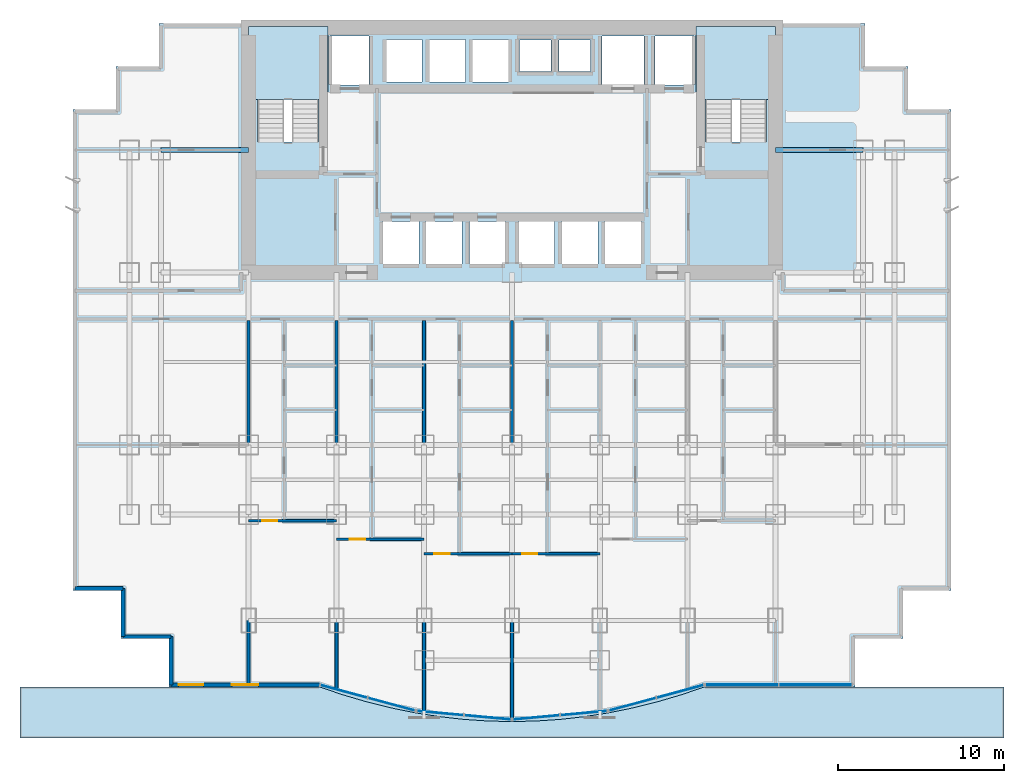
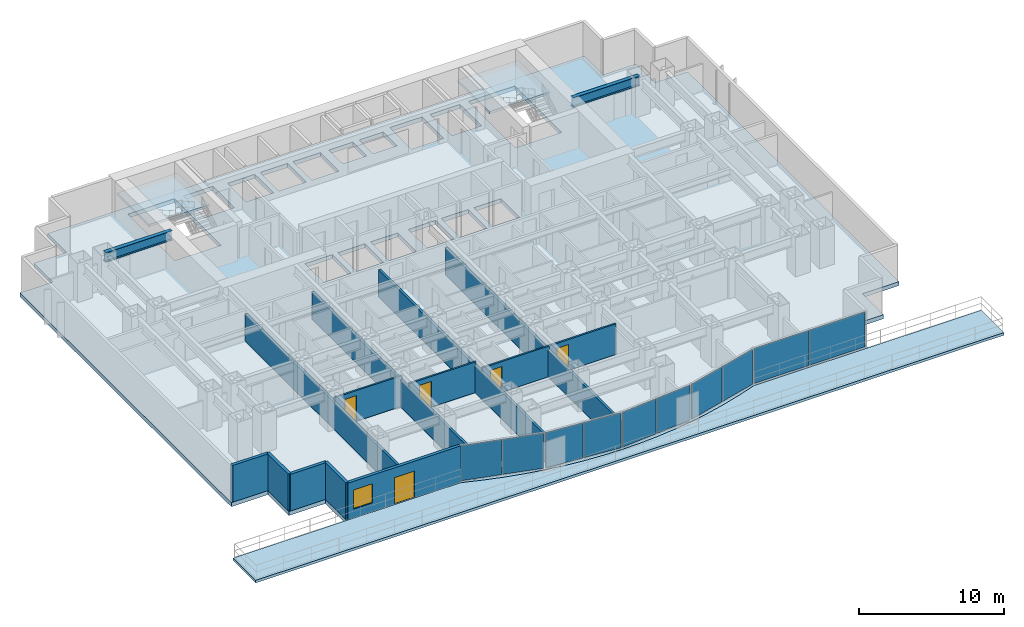
# One storey, part 4 of 11: 13 walls, 10 plates, 5 doors, 4 slabs, 2 beams, 1 window, 6 openings, 7 elements without a shape of their own.
"""IFC4 building model written with IfcOpenShell, lengths in metres."""

from ifc_helpers import new_model, si_unit, direction, frame, frame_2d, origin, origin_2d, place, context, subcontext, project, spatial, polyline, rectangle, i_section, outline, extrude, source, transform, mapped, material, layer, layer_set, material_profile, profile_set, type_object, element, fill, aggregate, save


model = new_model("IFC4")

# Units and contexts
model_context = context("Model", 3, precision=1e-05, world=origin(), true_north=direction((0.0, 1.0)))
body_context = subcontext(model_context, "Body", "Model", "MODEL_VIEW")
ifc_project = project(units=[si_unit("LENGTHUNIT", "METRE"), si_unit("AREAUNIT", "SQUARE_METRE"), si_unit("VOLUMEUNIT", "CUBIC_METRE"), si_unit("PLANEANGLEUNIT", "RADIAN"), si_unit("MASSUNIT", "GRAM", prefix="KILO")], contexts=[model_context])

# Site, building, storey
site_placement = place(None, origin())
site = spatial("IfcSite", under=ifc_project, at=site_placement, CompositionType="ELEMENT")
building_placement = place(site_placement, origin())
building = spatial("IfcBuilding", under=site, at=building_placement, Name="Qianlan Lanfeng Residences", CompositionType="ELEMENT")
storey_placement = place(building_placement, frame((0.0, 0.0, 24.199951171875)))
storey = spatial("IfcBuildingStorey", under=building, at=storey_placement, Name="L05", CompositionType="ELEMENT", Elevation=24.199951171875)

# Beams
ifc_material_1 = material(Name="Steel SN490B", Category="steel")
ifc_material_profile = material_profile(ifc_material_1, i_section(OverallWidth=0.300048828125, OverallDepth=0.800048828125, WebThickness=0.01611328125, FlangeThickness=0.028076171875, at=origin_2d()), Name="H 800x300x16x28")
ifc_profile_set = profile_set([ifc_material_profile], Name="Steel SN490B")
beam_type = type_object("IfcBeamType", Name="G-950", PredefinedType="BEAM", material=ifc_profile_set)
for number, where, z_axis, x_axis, name in (
    (1, (5.300048828125, 32.60009765625, 2.679931640625), (1.0, 0.0, 0.0), (0.0, 1.0, 0.0), "Structural beam G-950"),
    (2, (42.39990234375, 32.60009765625, 2.679931640625), (1.0, 0.0, 0.0), (0.0, 1.0, 0.0), "Structural beam G-950"),
):
    element("IfcBeam", number, at=place(storey_placement, frame(where, z_axis=z_axis, x_axis=x_axis)), inside=storey, type_object=beam_type, Name=name, PredefinedType="BEAM", context=body_context, shape_type="SweptSolid", body=[
        extrude(i_section(OverallWidth=0.300048828125, OverallDepth=0.800048828125, WebThickness=0.01611328125, FlangeThickness=0.028076171875, at=origin_2d()), origin(), (0.0, 0.0, 1.0), 5.300048828125),
    ])

# Slab
ifc_material_2 = material(Name="Concrete C56", Category="concrete")
ifc_layer_1 = layer(ifc_material_2, 0.340087890625)
ifc_layer_set_1 = layer_set([ifc_layer_1], Name="Concrete C56")
slab_type_1 = type_object("IfcSlabType", Name="S-FL-340", PredefinedType="FLOOR", material=ifc_layer_set_1)
slab_1_placement = place(storey_placement, frame((0.0, 0.0, -0.33984375)))
element("IfcSlab", 3, at=slab_1_placement, inside=storey, type_object=slab_type_1, Name="L05 Structural Floor Slab", PredefinedType="FLOOR", context=body_context, shape_type="SweptSolid", body=[
    extrude(outline(polyline([(0.0, 6.0), (2.89990234375, 6.0), (2.89990234375, 3.10009765625), (5.800048828125, 3.10009765625), (5.800048828125, 0.199951171875), (14.85009765625, 0.199951171875), (16.305908203125, -0.2919921875), (17.761962890625, -0.718994140625), (19.218994140625, -1.080078125), (20.675048828125, -1.375), (22.131103515625, -1.60498046875), (23.5869140625, -1.76904296875), (25.0439453125, -1.866943359375), (26.5, -1.89990234375), (27.9560546875, -1.866943359375), (29.412109375, -1.76904296875), (30.868896484375, -1.60498046875), (32.324951171875, -1.375), (33.781005859375, -1.080078125), (35.237060546875, -0.718994140625), (36.694091796875, -0.2919921875), (38.14990234375, 0.199951171875), (47.199951171875, 0.199951171875), (47.199951171875, 3.10009765625), (50.10009765625, 3.10009765625), (50.10009765625, 6.0), (53.0, 6.0), (53.0, 35.050048828125), (50.39990234375, 35.050048828125), (50.39990234375, 37.64990234375), (47.800048828125, 37.64990234375), (47.800048828125, 40.25), (5.199951171875, 40.25), (5.199951171875, 37.64990234375), (2.60009765625, 37.64990234375), (2.60009765625, 35.050048828125), (0.0, 35.050048828125), (0.0, 6.0)]), holes=[polyline([(11.139892578125, 33.080078125), (11.139892578125, 39.5), (14.820068359375, 39.5), (14.820068359375, 33.080078125), (11.139892578125, 33.080078125)]), polyline([(38.179931640625, 33.080078125), (38.179931640625, 39.5), (41.860107421875, 39.5), (41.860107421875, 33.080078125), (38.179931640625, 33.080078125)]), polyline([(15.52001953125, 36.52001953125), (15.52001953125, 39.47998046875), (17.8798828125, 39.47998046875), (17.8798828125, 36.52001953125), (15.52001953125, 36.52001953125)]), polyline([(35.1201171875, 36.52001953125), (35.1201171875, 39.47998046875), (37.47998046875, 39.47998046875), (37.47998046875, 36.52001953125), (35.1201171875, 36.52001953125)]), polyline([(31.919921875, 36.52001953125), (31.919921875, 39.47998046875), (34.47998046875, 39.47998046875), (34.47998046875, 36.52001953125), (31.919921875, 36.52001953125)]), polyline([(18.719970703125, 25.719970703125), (18.719970703125, 28.280029296875), (20.8798828125, 28.280029296875), (20.8798828125, 25.719970703125), (18.719970703125, 25.719970703125)]), polyline([(21.320068359375, 25.719970703125), (21.320068359375, 28.280029296875), (23.47998046875, 28.280029296875), (23.47998046875, 25.719970703125), (21.320068359375, 25.719970703125)]), polyline([(23.919921875, 25.719970703125), (23.919921875, 28.280029296875), (26.080078125, 28.280029296875), (26.080078125, 25.719970703125), (23.919921875, 25.719970703125)]), polyline([(26.919921875, 25.719970703125), (26.919921875, 28.280029296875), (29.080078125, 28.280029296875), (29.080078125, 25.719970703125), (26.919921875, 25.719970703125)]), polyline([(29.52001953125, 25.719970703125), (29.52001953125, 28.280029296875), (31.679931640625, 28.280029296875), (31.679931640625, 25.719970703125), (29.52001953125, 25.719970703125)]), polyline([(32.1201171875, 25.719970703125), (32.1201171875, 28.280029296875), (34.280029296875, 28.280029296875), (34.280029296875, 25.719970703125), (32.1201171875, 25.719970703125)]), polyline([(18.919921875, 36.719970703125), (18.919921875, 39.280029296875), (21.080078125, 39.280029296875), (21.080078125, 36.719970703125), (18.919921875, 36.719970703125)]), polyline([(21.52001953125, 36.719970703125), (21.52001953125, 39.280029296875), (23.679931640625, 39.280029296875), (23.679931640625, 36.719970703125), (21.52001953125, 36.719970703125)]), polyline([(24.1201171875, 36.719970703125), (24.1201171875, 39.280029296875), (26.280029296875, 39.280029296875), (26.280029296875, 36.719970703125), (24.1201171875, 36.719970703125)]), polyline([(26.949951171875, 37.35009765625), (26.949951171875, 39.25), (28.85009765625, 39.25), (28.85009765625, 37.35009765625), (26.949951171875, 37.35009765625)]), polyline([(29.35009765625, 37.35009765625), (29.35009765625, 39.25), (31.25, 39.25), (31.25, 37.35009765625), (29.35009765625, 37.35009765625)])]), origin(), (0.0, 0.0, 1.0), 0.33984375),
])

# Stair, slab
ifc_material_3 = material(Name="Concrete C42", Category="concrete")
stair_type = type_object("IfcStairType", Name="STR-MAIN", PredefinedType="HALF_TURN_STAIR", material=ifc_material_3)
stair_1_placement = place(storey_placement, origin())
stair_1 = element("IfcStair", 4, at=stair_1_placement, inside=storey, type_object=stair_type, Name="L05 Exit Stair ST-1", PredefinedType="HALF_TURN_STAIR")
ifc_layer_2 = layer(ifc_material_3, 0.179931640625)
ifc_layer_set_2 = layer_set([ifc_layer_2], Name="Concrete C42")
slab_type_2 = type_object("IfcSlabType", Name="S-LND-180", PredefinedType="LANDING", material=ifc_layer_set_2)
slab_2_placement = place(storey_placement, frame((0.0, 0.0, 1.449951171875)))
slab_2 = element("IfcSlab", 5, at=slab_2_placement, type_object=slab_type_2, Name="ST-1 landing 1", PredefinedType="LANDING", context=body_context, shape_type="SweptSolid", body=[
    extrude(outline(polyline([(10.580078125, 35.659912109375), (15.3798828125, 35.659912109375), (15.3798828125, 40.050048828125), (10.580078125, 40.050048828125), (10.580078125, 35.659912109375)])), origin(), (0.0, 0.0, 1.0), 0.2001953125),
])
aggregate(stair_1, [slab_2])

stair_2_placement = place(storey_placement, origin())
stair_2 = element("IfcStair", 6, at=stair_2_placement, inside=storey, type_object=stair_type, Name="L05 Exit Stair ST-2", PredefinedType="HALF_TURN_STAIR")
slab_3_placement = place(storey_placement, frame((0.0, 0.0, 1.449951171875)))
slab_3 = element("IfcSlab", 7, at=slab_3_placement, type_object=slab_type_2, Name="ST-2 landing 1", PredefinedType="LANDING", context=body_context, shape_type="SweptSolid", body=[
    extrude(outline(polyline([(37.6201171875, 35.659912109375), (42.419921875, 35.659912109375), (42.419921875, 40.050048828125), (37.6201171875, 40.050048828125), (37.6201171875, 35.659912109375)])), origin(), (0.0, 0.0, 1.0), 0.2001953125),
])
aggregate(stair_2, [slab_3])

# Slab
ifc_layer_3 = layer(ifc_material_3, 0.219970703125)
ifc_layer_set_3 = layer_set([ifc_layer_3], Name="Concrete C42")
slab_type_3 = type_object("IfcSlabType", Name="S-TER-220", PredefinedType="FLOOR", material=ifc_layer_set_3)
slab_4_placement = place(storey_placement, frame((0.0, 0.0, -0.219970703125)))
element("IfcSlab", 8, at=slab_4_placement, inside=storey, type_object=slab_type_3, Name="L05 Planted Podium Terrace Slab", PredefinedType="FLOOR", context=body_context, shape_type="SweptSolid", body=[
    extrude(outline(polyline([(47.199951171875, 0.199951171875), (38.14990234375, 0.199951171875), (36.694091796875, -0.2919921875), (35.237060546875, -0.718994140625), (33.781005859375, -1.080078125), (32.324951171875, -1.375), (30.868896484375, -1.60498046875), (29.412109375, -1.76904296875), (27.9560546875, -1.866943359375), (26.5, -1.89990234375), (25.0439453125, -1.866943359375), (23.5869140625, -1.76904296875), (22.131103515625, -1.60498046875), (20.675048828125, -1.375), (19.218994140625, -1.080078125), (17.761962890625, -0.718994140625), (16.305908203125, -0.2919921875), (14.85009765625, 0.199951171875), (5.800048828125, 0.199951171875), (-3.199951171875, 0.199951171875), (-3.199951171875, -2.89990234375), (56.199951171875, -2.89990234375), (56.199951171875, 0.199951171875), (47.199951171875, 0.199951171875)])), origin(), (0.0, 0.0, 1.0), 0.219970703125),
])

# Curtain wall, plates
ifc_material_4 = material(Name="Anodised Bronze Aluminium 6063-T6", Category="aluminium")
ifc_layer_4 = layer(ifc_material_4, 0.219970703125)
ifc_layer_set_4 = layer_set([ifc_layer_4], Name="Anodised Bronze Aluminium 6063-T6")
curtain_wall_type = type_object("IfcCurtainWallType", Name="CW-02", PredefinedType="NOTDEFINED", material=ifc_layer_set_4)
curtain_wall_1_placement = place(storey_placement, origin())
curtain_wall_1 = element("IfcCurtainWall", 9, at=curtain_wall_1_placement, inside=storey, type_object=curtain_wall_type, Name="L05 Unitised Curtain Wall CWR-L05-01 (CW-02)", PredefinedType="NOTDEFINED")
ifc_material_5 = material(Name="Dark Bronze Tinted Insulated Glass", Category="glass")
ifc_layer_5 = layer(ifc_material_5, 0.0380859375)
ifc_layer_set_5 = layer_set([ifc_layer_5], Name="Dark Bronze Tinted Insulated Glass")
plate_type_1 = type_object("IfcPlateType", Name="PNL-GLZ-BRZ", PredefinedType="CURTAIN_PANEL", material=ifc_layer_set_5)
shared_shape_1 = source(origin(), body_context, "Body", "SweptSolid", [
    extrude(rectangle(XDim=2.89990234375, YDim=0.0380859375, at=origin_2d()), origin(), (0.0, 0.0, 1.0), 2.922119140625),
])
plate_1_placement = place(storey_placement, frame((16.345703125, -0.07958984375, 0.0791015625), z_axis=(0.0, 0.0, 1.0), x_axis=(0.9652627173, -0.261281240412, 0.0)))
plate_1 = element("IfcPlate", 10, at=plate_1_placement, type_object=plate_type_1, Name="CWR-L05-01 Curtain Panel 1", PredefinedType="CURTAIN_PANEL", context=body_context, shape_type="MappedRepresentation", body=[
    mapped(shared_shape_1, transform((0.0, 0.0, 0.0), scale=1.0)),
])
plate_2_placement = place(storey_placement, frame((19.22021484375, -0.857421875, 0.0791015625), z_axis=(0.0, 0.0, 1.0), x_axis=(0.9652627173, -0.261281240412, 0.0)))
plate_2 = element("IfcPlate", 11, at=plate_2_placement, type_object=plate_type_1, Name="CWR-L05-01 Curtain Panel 2", PredefinedType="CURTAIN_PANEL", context=body_context, shape_type="MappedRepresentation", body=[
    mapped(shared_shape_1, transform((0.0, 0.0, 0.0), scale=1.0)),
])
aggregate(curtain_wall_1, [plate_1, plate_2])

# Curtain wall, plate
curtain_wall_2_placement = place(storey_placement, origin())
curtain_wall_2 = element("IfcCurtainWall", 12, at=curtain_wall_2_placement, inside=storey, type_object=curtain_wall_type, Name="L05 Unitised Curtain Wall CWR-L05-04 (CW-02)", PredefinedType="NOTDEFINED")
plate_3_placement = place(storey_placement, frame((33.77978515625, -0.857421875, 0.0791015625), z_axis=(0.0, 0.0, 1.0), x_axis=(0.9652627173, 0.261281240412, 0.0)))
plate_3 = element("IfcPlate", 13, at=plate_3_placement, type_object=plate_type_1, Name="CWR-L05-04 Curtain Panel 1", PredefinedType="CURTAIN_PANEL", context=body_context, shape_type="MappedRepresentation", body=[
    mapped(shared_shape_1, transform((0.0, 0.0, 0.0), scale=1.0)),
])

curtain_wall_3_placement = place(storey_placement, origin())
curtain_wall_3 = element("IfcCurtainWall", 14, at=curtain_wall_3_placement, inside=storey, type_object=curtain_wall_type, Name="L05 Unitised Curtain Wall CWR-L05-02 (CW-02)", PredefinedType="NOTDEFINED")
shared_shape_2 = source(origin(), body_context, "Body", "SweptSolid", [
    extrude(rectangle(XDim=2.7958984375, YDim=0.0380859375, at=origin_2d()), origin(), (0.0, 0.0, 1.0), 2.922119140625),
])
plate_4_placement = place(storey_placement, frame((22.1669921875, -1.389404296875, 0.0791015625), z_axis=(0.0, 0.0, 1.0), x_axis=(0.995964677764, -0.089746089862, 0.0)))
plate_4 = element("IfcPlate", 15, at=plate_4_placement, type_object=plate_type_1, Name="CWR-L05-02 Curtain Panel 1", PredefinedType="CURTAIN_PANEL", context=body_context, shape_type="MappedRepresentation", body=[
    mapped(shared_shape_2, transform((0.0, 0.0, 0.0), scale=1.0)),
])

curtain_wall_4_placement = place(storey_placement, origin())
curtain_wall_4 = element("IfcCurtainWall", 16, at=curtain_wall_4_placement, inside=storey, type_object=curtain_wall_type, Name="L05 Unitised Curtain Wall CWR-L05-03 (CW-02)", PredefinedType="NOTDEFINED")
plate_5_placement = place(storey_placement, frame((27.970947265625, -1.6474609375, 0.0791015625), z_axis=(0.0, 0.0, 1.0), x_axis=(0.995964677764, 0.089746089862, 0.0)))
plate_5 = element("IfcPlate", 17, at=plate_5_placement, type_object=plate_type_1, Name="CWR-L05-03 Curtain Panel 1", PredefinedType="CURTAIN_PANEL", context=body_context, shape_type="MappedRepresentation", body=[
    mapped(shared_shape_2, transform((0.0, 0.0, 0.0), scale=1.0)),
])

# Plate
ifc_material_6 = material(Name="Perforated Anodised Bronze Aluminium Panel", Category="aluminium")
ifc_layer_6 = layer(ifc_material_6, 0.0419921875)
ifc_layer_set_6 = layer_set([ifc_layer_6], Name="Perforated Anodised Bronze Aluminium Panel")
plate_type_2 = type_object("IfcPlateType", Name="PNL-PRF-BRZ", PredefinedType="CURTAIN_PANEL", material=ifc_layer_set_6)
shared_shape_3 = source(origin(), body_context, "Body", "SweptSolid", [
    extrude(rectangle(XDim=2.795654296875, YDim=0.0419921875, at=origin_2d()), origin(), (0.0, 0.0, 1.0), 2.922119140625),
])
plate_6_placement = place(storey_placement, frame((25.029052734375, -1.6474609375, 0.0791015625), z_axis=(0.0, 0.0, 1.0), x_axis=(0.995964677764, -0.089746089862, 0.0)))
plate_6 = element("IfcPlate", 18, at=plate_6_placement, type_object=plate_type_2, Name="CWR-L05-02 Curtain Panel 2", PredefinedType="CURTAIN_PANEL", context=body_context, shape_type="MappedRepresentation", body=[
    mapped(shared_shape_3, transform((0.0, 0.0, 0.0), scale=1.0)),
])

aggregate(curtain_wall_3, [plate_4, plate_6])

shared_shape_4 = source(origin(), body_context, "Body", "SweptSolid", [
    extrude(rectangle(XDim=2.795654296875, YDim=0.0380859375, at=origin_2d()), origin(), (0.0, 0.0, 1.0), 2.922119140625),
])
plate_7_placement = place(storey_placement, frame((30.8330078125, -1.389404296875, 0.0791015625), z_axis=(0.0, 0.0, 1.0), x_axis=(0.995964677764, 0.089746089862, 0.0)))
plate_7 = element("IfcPlate", 19, at=plate_7_placement, type_object=plate_type_1, Name="CWR-L05-03 Curtain Panel 2", PredefinedType="CURTAIN_PANEL", context=body_context, shape_type="MappedRepresentation", body=[
    mapped(shared_shape_4, transform((0.0, 0.0, 0.0), scale=1.0)),
])

aggregate(curtain_wall_4, [plate_5, plate_7])

shared_shape_5 = source(origin(), body_context, "Body", "SweptSolid", [
    extrude(rectangle(XDim=2.89990234375, YDim=0.0419921875, at=origin_2d()), origin(), (0.0, 0.0, 1.0), 2.922119140625),
])
plate_8_placement = place(storey_placement, frame((36.654296875, -0.07958984375, 0.0791015625), z_axis=(0.0, 0.0, 1.0), x_axis=(0.9652627173, 0.261281240412, 0.0)))
plate_8 = element("IfcPlate", 20, at=plate_8_placement, type_object=plate_type_2, Name="CWR-L05-04 Curtain Panel 2", PredefinedType="CURTAIN_PANEL", context=body_context, shape_type="MappedRepresentation", body=[
    mapped(shared_shape_5, transform((0.0, 0.0, 0.0), scale=1.0)),
])

aggregate(curtain_wall_2, [plate_3, plate_8])

# Curtain wall, plates
curtain_wall_5_placement = place(storey_placement, origin())
curtain_wall_5 = element("IfcCurtainWall", 21, at=curtain_wall_5_placement, inside=storey, type_object=curtain_wall_type, Name="L05 Unitised Curtain Wall CWR-L05-05 (CW-02)", PredefinedType="NOTDEFINED")
shared_shape_6 = source(origin(), body_context, "Body", "SweptSolid", [
    extrude(rectangle(XDim=4.35693359375, YDim=0.0380859375, at=origin_2d()), origin(), (0.0, 0.0, 1.0), 2.922119140625),
])
plate_9_placement = place(storey_placement, frame((40.387451171875, 0.320068359375, 0.0791015625), z_axis=(0.0, 0.0, 1.0), x_axis=(1.0, 0.0, 0.0)))
plate_9 = element("IfcPlate", 22, at=plate_9_placement, type_object=plate_type_1, Name="CWR-L05-05 Curtain Panel 1", PredefinedType="CURTAIN_PANEL", context=body_context, shape_type="MappedRepresentation", body=[
    mapped(shared_shape_6, transform((0.0, 0.0, 0.0), scale=1.0)),
])
plate_10_placement = place(storey_placement, frame((44.822509765625, 0.320068359375, 0.0791015625), z_axis=(0.0, 0.0, 1.0), x_axis=(1.0, 0.0, 0.0)))
plate_10 = element("IfcPlate", 23, at=plate_10_placement, type_object=plate_type_1, Name="CWR-L05-05 Curtain Panel 2", PredefinedType="CURTAIN_PANEL", context=body_context, shape_type="MappedRepresentation", body=[
    mapped(shared_shape_6, transform((0.0, 0.0, 0.0), scale=1.0)),
])
aggregate(curtain_wall_5, [plate_9, plate_10])

# Walls
ifc_layer_7 = layer(ifc_material_3, 0.239990234375)
ifc_layer_set_7 = layer_set([ifc_layer_7], Name="Concrete C42")
wall_type_1 = type_object("IfcWallType", Name="EW-240", PredefinedType="SOLIDWALL", material=ifc_layer_set_7)
wall_1_placement = place(storey_placement, frame((0.1201171875, 6.1201171875, 0.0), z_axis=(0.0, 0.0, 1.0), x_axis=(1.0, 0.0, 0.0)))
element("IfcWall", 24, at=wall_1_placement, inside=storey, type_object=wall_type_1, Name="L05 Exterior Facade Spandrel Wall 1", PredefinedType="SOLIDWALL", context=body_context, shape_type="SweptSolid", body=[
    extrude(rectangle(XDim=2.89990234375, YDim=0.239990234375, at=frame_2d((1.449951171875, 0.0))), origin(), (0.0, 0.0, 1.0), 3.080078125),
])
wall_2_placement = place(storey_placement, frame((3.02001953125, 6.1201171875, 0.0), z_axis=(0.0, 0.0, 1.0), x_axis=(0.0, -1.0, 0.0)))
element("IfcWall", 25, at=wall_2_placement, inside=storey, type_object=wall_type_1, Name="L05 Exterior Facade Spandrel Wall 2", PredefinedType="SOLIDWALL", context=body_context, shape_type="SweptSolid", body=[
    extrude(rectangle(XDim=2.900146484375, YDim=0.239990234375, at=frame_2d((1.4501953125, 0.0))), origin(), (0.0, 0.0, 1.0), 3.080078125),
])
for number, where, z_axis, x_axis, name in (
    (26, (3.02001953125, 3.219970703125, 0.0), (0.0, 0.0, 1.0), (1.0, 0.0, 0.0), "L05 Exterior Facade Spandrel Wall 3"),
    (27, (5.919921875, 3.219970703125, 0.0), (0.0, 0.0, 1.0), (0.0, -1.0, 0.0), "L05 Exterior Facade Spandrel Wall 4"),
):
    element("IfcWall", number, at=place(storey_placement, frame(where, z_axis=z_axis, x_axis=x_axis)), inside=storey, type_object=wall_type_1, Name=name, PredefinedType="SOLIDWALL", context=body_context, shape_type="SweptSolid", body=[
        extrude(rectangle(XDim=2.89990234375, YDim=0.239990234375, at=frame_2d((1.449951171875, 0.0))), origin(), (0.0, 0.0, 1.0), 3.080078125),
    ])

# Wall, openings, door, window
wall_3_placement = place(storey_placement, frame((5.919921875, 0.320068359375, 0.0), z_axis=(0.0, 0.0, 1.0), x_axis=(1.0, 0.0, 0.0)))
wall_3 = element("IfcWall", 28, at=wall_3_placement, inside=storey, type_object=wall_type_1, Name="L05 Terrace/Balcony Access Exterior Wall 5", PredefinedType="SOLIDWALL", context=body_context, shape_type="SweptSolid", body=[
    extrude(rectangle(XDim=8.9501953125, YDim=0.239990234375, at=frame_2d((4.47509765625, 0.0))), origin(), (0.0, 0.0, 1.0), 3.080078125),
])
opening_1_placement = place(wall_3_placement, frame((3.675048828125, 0.0, 0.0)))
opening_1 = element("IfcOpeningElement", 29, at=opening_1_placement, cuts=wall_3, Name="Opening L05-D-TER1", PredefinedType="OPENING", context=body_context, shape_type="SweptSolid", body=[
    extrude(rectangle(XDim=1.60009765625, YDim=2.25, at=frame_2d((0.800048828125, 1.125))), frame((0.0, 0.1298828125, 0.0), z_axis=(0.0, -1.0, 0.0), x_axis=(1.0, 0.0, 0.0)), (0.0, 0.0, 1.0), 0.260009765625),
])
opening_2_placement = place(wall_3_placement, frame((0.449951171875, 0.0, 0.75)))
opening_2 = element("IfcOpeningElement", 30, at=opening_2_placement, cuts=wall_3, Name="Opening W-02", PredefinedType="OPENING", context=body_context, shape_type="SweptSolid", body=[
    extrude(rectangle(XDim=1.5, YDim=1.60009765625, at=frame_2d((0.75, 0.800048828125))), frame((0.0, 0.1298828125, 0.0), z_axis=(0.0, -1.0, 0.0), x_axis=(1.0, 0.0, 0.0)), (0.0, 0.0, 1.0), 0.260009765625),
])
ifc_material_7 = material(Name="Anodised Bronze Aluminium Framed Glass", Category="aluminium")
door_type_1 = type_object("IfcDoorType", Name="DT-TER1", OperationType="NOTDEFINED", PredefinedType="DOOR", material=ifc_material_7)
door_1_placement = place(opening_1_placement, frame((1.60009765625, 0.0, 0.0), z_axis=(0.0, 0.0, 1.0), x_axis=(-1.0, 0.0, 0.0)))
door_1 = element("IfcDoor", 31, at=door_1_placement, inside=storey, type_object=door_type_1, Name="L05 Exterior Access Door TER1", OperationType="DOUBLE_DOOR_SINGLE_SWING", OverallHeight=2.25, OverallWidth=1.60009765625, PredefinedType="DOOR", context=body_context, shape_type="SweptSolid", body=[
    extrude(rectangle(XDim=1.60009765625, YDim=2.25, at=frame_2d((0.800048828125, 1.125))), frame((0.0, 0.02490234375, 0.0), z_axis=(0.0, -1.0, 0.0), x_axis=(1.0, 0.0, 0.0)), (0.0, 0.0, 1.0), 0.050048828125),
])
fill(opening_1, door_1)
ifc_material_8 = material(Name="Anodised Bronze Aluminium Framed Double Glazing", Category="aluminium")
window_type = type_object("IfcWindowType", Name="W-02", PartitioningType="SINGLE_PANEL", PredefinedType="WINDOW", material=ifc_material_8)
window_placement = place(opening_2_placement, origin())
window = element("IfcWindow", 32, at=window_placement, inside=storey, type_object=window_type, Name="L05 Exterior Window W-02", OverallHeight=1.60009765625, OverallWidth=1.5, PartitioningType="SINGLE_PANEL", PredefinedType="WINDOW", context=body_context, shape_type="SweptSolid", body=[
    extrude(rectangle(XDim=1.5, YDim=1.60009765625, at=frame_2d((0.75, 0.800048828125))), frame((0.0, 0.030029296875, 0.0), z_axis=(0.0, -1.0, 0.0), x_axis=(1.0, 0.0, 0.0)), (0.0, 0.0, 1.0), 0.06005859375),
])
fill(opening_2, window)

# Wall, opening, door
ifc_material_9 = material(Name="Moisture-Resistant Gypsum Partition 135 mm")
ifc_layer_8 = layer(ifc_material_9, 0.135009765625)
ifc_layer_set_8 = layer_set([ifc_layer_8], Name="Moisture-Resistant Gypsum Partition 135 mm")
wall_type_2 = type_object("IfcWallType", Name="PW-135", PredefinedType="PARTITIONING", material=ifc_layer_set_8)
wall_4_placement = place(storey_placement, frame((10.60009765625, 10.219970703125, 0.0), z_axis=(0.0, 0.0, 1.0), x_axis=(1.0, 0.0, 0.0)))
wall_4 = element("IfcWall", 33, at=wall_4_placement, inside=storey, type_object=wall_type_2, Name="L05 U01 Living Divider", PredefinedType="PARTITIONING", context=body_context, shape_type="SweptSolid", body=[
    extrude(rectangle(XDim=5.2998046875, YDim=0.135009765625, at=frame_2d((2.64990234375, 0.0))), origin(), (0.0, 0.0, 1.0), 2.570068359375),
])
opening_3_placement = place(wall_4_placement, frame((0.81494140625, 0.0, 0.0)))
opening_3 = element("IfcOpeningElement", 34, at=opening_3_placement, cuts=wall_4, Name="Opening L05-D14", PredefinedType="OPENING", context=body_context, shape_type="SweptSolid", body=[
    extrude(rectangle(XDim=0.919921875, YDim=2.14990234375, at=frame_2d((0.4599609375, 1.074951171875))), frame((0.0, 0.07763671875, 0.0), z_axis=(0.0, -1.0, 0.0), x_axis=(1.0, 0.0, 0.0)), (0.0, 0.0, 1.0), 0.155029296875),
])
ifc_material_10 = material(Name="Glazed Timber Kitchen/Study Door", Category="wood")
door_type_2 = type_object("IfcDoorType", Name="DT-INT", OperationType="NOTDEFINED", PredefinedType="DOOR", material=ifc_material_10)
door_2_placement = place(opening_3_placement, frame((0.919921875, 0.0, 0.0), z_axis=(0.0, 0.0, 1.0), x_axis=(-1.0, 0.0, 0.0)))
door_2 = element("IfcDoor", 35, at=door_2_placement, inside=storey, type_object=door_type_2, Name="L05 U01 Living Passage Door L05-D14 (DT-INT)", OperationType="SINGLE_SWING_LEFT", OverallHeight=2.14990234375, OverallWidth=0.919921875, PredefinedType="DOOR", context=body_context, shape_type="SweptSolid", body=[
    extrude(rectangle(XDim=0.919921875, YDim=2.14990234375, at=frame_2d((0.4599609375, 1.074951171875))), frame((0.0, 0.02490234375, 0.0), z_axis=(0.0, -1.0, 0.0), x_axis=(1.0, 0.0, 0.0)), (0.0, 0.0, 1.0), 0.050048828125),
])
fill(opening_3, door_2)

wall_5_placement = place(storey_placement, frame((15.89990234375, 9.112060546875, 0.0), z_axis=(0.0, 0.0, 1.0), x_axis=(1.0, 0.0, 0.0)))
wall_5 = element("IfcWall", 36, at=wall_5_placement, inside=storey, type_object=wall_type_2, Name="L05 U02 Living Divider", PredefinedType="PARTITIONING", context=body_context, shape_type="SweptSolid", body=[
    extrude(rectangle(XDim=5.300048828125, YDim=0.135009765625, at=frame_2d((2.64990234375, 0.0))), origin(), (0.0, 0.0, 1.0), 2.570068359375),
])
opening_4_placement = place(wall_5_placement, frame((0.81494140625, 0.0, 0.0)))
opening_4 = element("IfcOpeningElement", 37, at=opening_4_placement, cuts=wall_5, Name="Opening L05-D19", PredefinedType="OPENING", context=body_context, shape_type="SweptSolid", body=[
    extrude(rectangle(XDim=0.919921875, YDim=2.14990234375, at=frame_2d((0.4599609375, 1.074951171875))), frame((0.0, 0.07763671875, 0.0), z_axis=(0.0, -1.0, 0.0), x_axis=(1.0, 0.0, 0.0)), (0.0, 0.0, 1.0), 0.155029296875),
])
door_3_placement = place(opening_4_placement, origin())
door_3 = element("IfcDoor", 38, at=door_3_placement, inside=storey, type_object=door_type_2, Name="L05 U02 Living Passage Door L05-D19 (DT-INT)", OperationType="SINGLE_SWING_LEFT", OverallHeight=2.14990234375, OverallWidth=0.919921875, PredefinedType="DOOR", context=body_context, shape_type="SweptSolid", body=[
    extrude(rectangle(XDim=0.919921875, YDim=2.14990234375, at=frame_2d((0.4599609375, 1.074951171875))), frame((0.0, 0.02490234375, 0.0), z_axis=(0.0, -1.0, 0.0), x_axis=(1.0, 0.0, 0.0)), (0.0, 0.0, 1.0), 0.050048828125),
])
fill(opening_4, door_3)

wall_6_placement = place(storey_placement, frame((21.199951171875, 8.23388671875, 0.0), z_axis=(0.0, 0.0, 1.0), x_axis=(1.0, 0.0, 0.0)))
wall_6 = element("IfcWall", 39, at=wall_6_placement, inside=storey, type_object=wall_type_2, Name="L05 U03 Living Divider", PredefinedType="PARTITIONING", context=body_context, shape_type="SweptSolid", body=[
    extrude(rectangle(XDim=5.300048828125, YDim=0.135009765625, at=frame_2d((2.64990234375, 0.0))), origin(), (0.0, 0.0, 1.0), 2.570068359375),
])
opening_5_placement = place(wall_6_placement, frame((0.614990234375, 0.0, 0.0)))
opening_5 = element("IfcOpeningElement", 40, at=opening_5_placement, cuts=wall_6, Name="Opening L05-D24", PredefinedType="OPENING", context=body_context, shape_type="SweptSolid", body=[
    extrude(rectangle(XDim=0.919921875, YDim=2.14990234375, at=frame_2d((0.4599609375, 1.074951171875))), frame((0.0, 0.07763671875, 0.0), z_axis=(0.0, -1.0, 0.0), x_axis=(1.0, 0.0, 0.0)), (0.0, 0.0, 1.0), 0.155029296875),
])
door_4_placement = place(opening_5_placement, frame((0.919921875, 0.0, 0.0), z_axis=(0.0, 0.0, 1.0), x_axis=(-1.0, 0.0, 0.0)))
door_4 = element("IfcDoor", 41, at=door_4_placement, inside=storey, type_object=door_type_2, Name="L05 U03 Living Passage Door L05-D24 (DT-INT)", OperationType="SINGLE_SWING_RIGHT", OverallHeight=2.14990234375, OverallWidth=0.919921875, PredefinedType="DOOR", context=body_context, shape_type="SweptSolid", body=[
    extrude(rectangle(XDim=0.919921875, YDim=2.14990234375, at=frame_2d((0.4599609375, 1.074951171875))), frame((0.0, 0.02490234375, 0.0), z_axis=(0.0, -1.0, 0.0), x_axis=(1.0, 0.0, 0.0)), (0.0, 0.0, 1.0), 0.050048828125),
])
fill(opening_5, door_4)

wall_7_placement = place(storey_placement, frame((26.5, 8.23388671875, 0.0), z_axis=(0.0, 0.0, 1.0), x_axis=(1.0, 0.0, 0.0)))
wall_7 = element("IfcWall", 42, at=wall_7_placement, inside=storey, type_object=wall_type_2, Name="L05 U04 Living Divider", PredefinedType="PARTITIONING", context=body_context, shape_type="SweptSolid", body=[
    extrude(rectangle(XDim=5.300048828125, YDim=0.135009765625, at=frame_2d((2.64990234375, 0.0))), origin(), (0.0, 0.0, 1.0), 2.570068359375),
])
opening_6_placement = place(wall_7_placement, frame((0.614990234375, 0.0, 0.0)))
opening_6 = element("IfcOpeningElement", 43, at=opening_6_placement, cuts=wall_7, Name="Opening L05-D29", PredefinedType="OPENING", context=body_context, shape_type="SweptSolid", body=[
    extrude(rectangle(XDim=0.919921875, YDim=2.14990234375, at=frame_2d((0.4599609375, 1.074951171875))), frame((0.0, 0.07763671875, 0.0), z_axis=(0.0, -1.0, 0.0), x_axis=(1.0, 0.0, 0.0)), (0.0, 0.0, 1.0), 0.155029296875),
])
door_5_placement = place(opening_6_placement, frame((0.919921875, 0.0, 0.0), z_axis=(0.0, 0.0, 1.0), x_axis=(-1.0, 0.0, 0.0)))
door_5 = element("IfcDoor", 44, at=door_5_placement, inside=storey, type_object=door_type_2, Name="L05 U04 Living Passage Door L05-D29 (DT-INT)", OperationType="SINGLE_SWING_RIGHT", OverallHeight=2.14990234375, OverallWidth=0.919921875, PredefinedType="DOOR", context=body_context, shape_type="SweptSolid", body=[
    extrude(rectangle(XDim=0.919921875, YDim=2.14990234375, at=frame_2d((0.4599609375, 1.074951171875))), frame((0.0, 0.02490234375, 0.0), z_axis=(0.0, -1.0, 0.0), x_axis=(1.0, 0.0, 0.0)), (0.0, 0.0, 1.0), 0.050048828125),
])
fill(opening_6, door_5)

# Walls
ifc_material_11 = material(Name="Double-Layer Acoustic Gypsum Stud Wall 180 mm")
ifc_layer_9 = layer(ifc_material_11, 0.179931640625)
ifc_layer_set_9 = layer_set([ifc_layer_9], Name="Double-Layer Acoustic Gypsum Stud Wall 180 mm")
wall_type_3 = type_object("IfcWallType", Name="PW-180", PredefinedType="PARTITIONING", material=ifc_layer_set_9)
wall_8_placement = place(storey_placement, frame((10.60009765625, 0.419921875, 0.0), z_axis=(0.0, 0.0, 1.0), x_axis=(0.0, 1.0, 0.0)))
element("IfcWall", 45, at=wall_8_placement, inside=storey, type_object=wall_type_3, Name="L05 Wing Boundary Party Wall W0", PredefinedType="PARTITIONING", context=body_context, shape_type="SweptSolid", body=[
    extrude(rectangle(XDim=21.880126953125, YDim=0.179931640625, at=frame_2d((10.93994140625, 0.0))), origin(), (0.0, 0.0, 1.0), 2.275146484375),
])
wall_9_placement = place(storey_placement, frame((15.89990234375, 0.076904296875, 0.0), z_axis=(0.0, 0.0, 1.0), x_axis=(0.0, 1.0, 0.0)))
element("IfcWall", 46, at=wall_9_placement, inside=storey, type_object=wall_type_3, Name="L05 Inter-Tenancy Party Wall 2", PredefinedType="PARTITIONING", context=body_context, shape_type="SweptSolid", body=[
    extrude(rectangle(XDim=22.22314453125, YDim=0.179931640625, at=frame_2d((11.111572265625, 0.0))), origin(), (0.0, 0.0, 1.0), 2.275146484375),
])
wall_10_placement = place(storey_placement, frame((21.199951171875, -1.235107421875, 0.0), z_axis=(0.0, 0.0, 1.0), x_axis=(0.0, 1.0, 0.0)))
element("IfcWall", 47, at=wall_10_placement, inside=storey, type_object=wall_type_3, Name="L05 Inter-Tenancy Party Wall 3", PredefinedType="PARTITIONING", context=body_context, shape_type="SweptSolid", body=[
    extrude(rectangle(XDim=23.53515625, YDim=0.179931640625, at=frame_2d((11.767578125, 0.0))), origin(), (0.0, 0.0, 1.0), 2.275146484375),
])
wall_11_placement = place(storey_placement, frame((26.5, -1.679931640625, 0.0), z_axis=(0.0, 0.0, 1.0), x_axis=(0.0, 1.0, 0.0)))
element("IfcWall", 48, at=wall_11_placement, inside=storey, type_object=wall_type_3, Name="L05 Inter-Tenancy Party Wall 4", PredefinedType="PARTITIONING", context=body_context, shape_type="SweptSolid", body=[
    extrude(rectangle(XDim=23.97998046875, YDim=0.179931640625, at=frame_2d((11.989990234375, 0.0))), origin(), (0.0, 0.0, 1.0), 2.275146484375),
])

save(model, "model.ifc")
